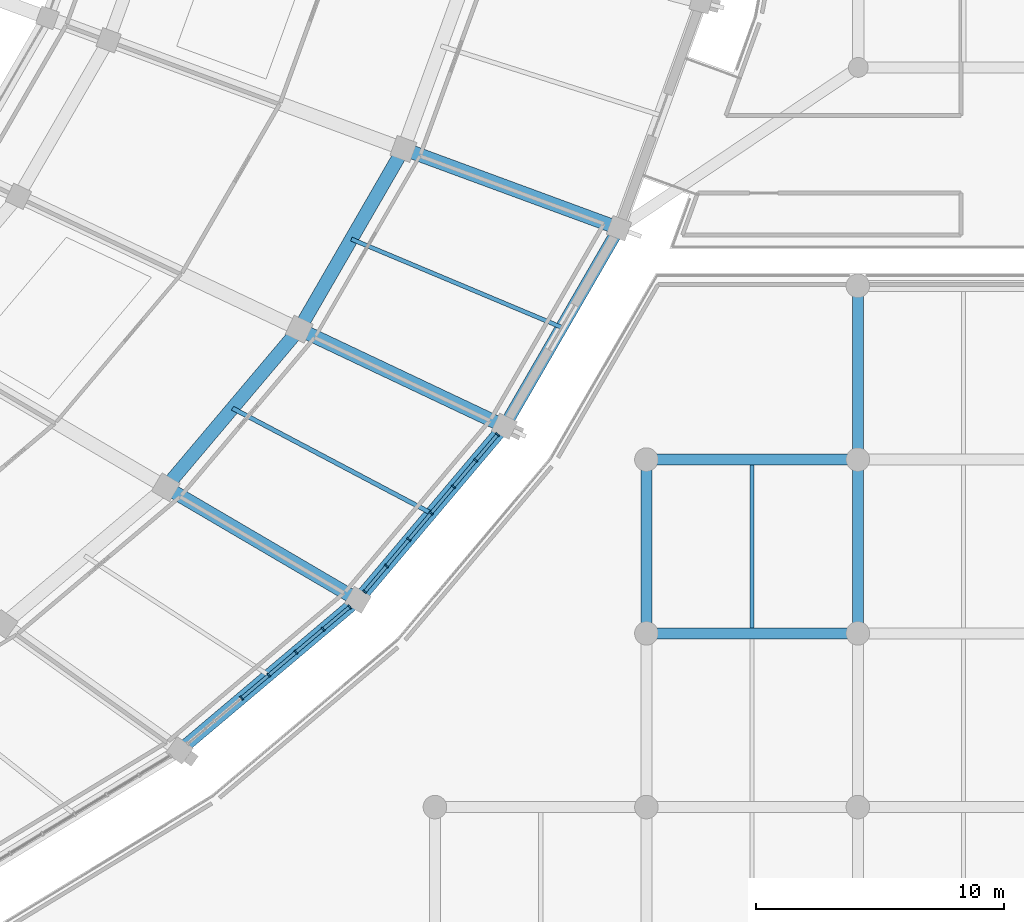
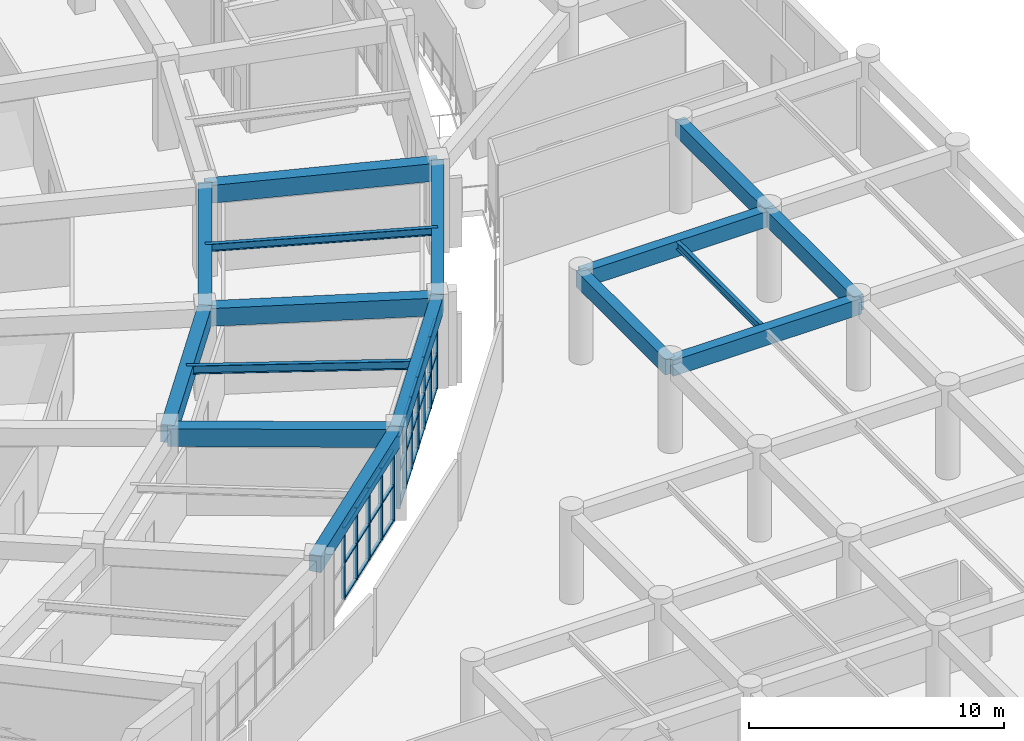
# One storey, part 44 of 145: 42 members, 16 beams, 2 elements without a shape of their own.
"""IFC4 building model written with IfcOpenShell, lengths in metres."""

from ifc_helpers import new_model, si_unit, direction, frame, origin, origin_2d, place, context, subcontext, project, spatial, rectangle, i_section, extrude, material, layer, layer_set, material_profile, profile_set, type_object, element, aggregate, save


model = new_model("IFC4")

# Units and contexts
model_context = context("Model", 3, precision=1e-05, world=origin(), true_north=direction((0.0, 1.0)))
body_context = subcontext(model_context, "Body", "Model", "MODEL_VIEW")
ifc_project = project(units=[si_unit("LENGTHUNIT", "METRE"), si_unit("AREAUNIT", "SQUARE_METRE"), si_unit("VOLUMEUNIT", "CUBIC_METRE"), si_unit("PLANEANGLEUNIT", "RADIAN"), si_unit("MASSUNIT", "GRAM", prefix="KILO")], contexts=[model_context])

# Site, building, storey
site_placement = place(None, origin())
site = spatial("IfcSite", under=ifc_project, at=site_placement, CompositionType="ELEMENT")
building_placement = place(site_placement, origin())
building = spatial("IfcBuilding", under=site, at=building_placement, Name="Mphavela Belvedere Stadium", CompositionType="ELEMENT")
storey_placement = place(building_placement, frame((0.0, 0.0, 10.199951171875)))
storey = spatial("IfcBuildingStorey", under=building, at=storey_placement, Name="L02", CompositionType="ELEMENT", Elevation=10.199951171875)

# Beams
ifc_material_1 = material(Name="Steel S355", Category="steel")
ifc_material_profile_1 = material_profile(ifc_material_1, i_section(OverallWidth=0.169921875, OverallDepth=0.360107421875, WebThickness=0.008056640625, FlangeThickness=0.0126953125, at=origin_2d()), Name="IPE 360")
ifc_profile_set_1 = profile_set([ifc_material_profile_1], Name="Steel S355")
beam_type_1 = type_object("IfcBeamType", Name="BM-JOIST-IPE360", PredefinedType="JOIST", material=ifc_profile_set_1)
beam_1_placement = place(storey_placement, frame((201.07568359375, 50.8837890625, 4.070068359375), z_axis=(0.922108778612, -0.386930743682, 0.0), x_axis=(0.386930743682, 0.922108778612, 0.0)))
element("IfcBeam", 1, at=beam_1_placement, inside=storey, type_object=beam_type_1, Name="Concourse floor joist L02-45", PredefinedType="JOIST", context=body_context, shape_type="SweptSolid", body=[
    extrude(i_section(OverallWidth=0.169921875, OverallDepth=0.360107421875, WebThickness=0.008056640625, FlangeThickness=0.0126953125, at=origin_2d()), origin(), (0.0, 0.0, 1.0), 9.189453125),
])
beam_2_placement = place(storey_placement, frame((217.221923828125, 35.22509765625, 4.06005859375), z_axis=(0.0, 1.0, 0.0), x_axis=(-1.0, 0.0, 0.0)))
element("IfcBeam", 2, at=beam_2_placement, inside=storey, type_object=beam_type_1, Name="South Axial Triumphal Peristyle Portico secondary joist L02 26-6", PredefinedType="JOIST", context=body_context, shape_type="SweptSolid", body=[
    extrude(i_section(OverallWidth=0.169921875, OverallDepth=0.360107421875, WebThickness=0.008056640625, FlangeThickness=0.0126953125, at=origin_2d()), origin(), (0.0, 0.0, 1.0), 6.5498046875),
])
ifc_material_2 = material(Name="Steel S355", Category="steel")
ifc_material_profile_2 = material_profile(ifc_material_2, i_section(OverallWidth=0.179931640625, OverallDepth=0.39990234375, WebThickness=0.008544921875, FlangeThickness=0.013427734375, at=origin_2d()), Name="IPE 400")
ifc_profile_set_2 = profile_set([ifc_material_profile_2], Name="Steel S355")
beam_type_2 = type_object("IfcBeamType", Name="BM-JOIST-IPE400", PredefinedType="JOIST", material=ifc_profile_set_2)
beam_3_placement = place(storey_placement, frame((196.2880859375, 44.06884765625, 4.050048828125), z_axis=(0.884250771824, -0.467012390123, 0.0), x_axis=(0.467012390123, 0.884250771824, 0.0)))
element("IfcBeam", 3, at=beam_3_placement, inside=storey, type_object=beam_type_2, Name="Concourse floor joist L02-44", PredefinedType="JOIST", context=body_context, shape_type="SweptSolid", body=[
    extrude(i_section(OverallWidth=0.179931640625, OverallDepth=0.39990234375, WebThickness=0.008544921875, FlangeThickness=0.013427734375, at=origin_2d()), origin(), (0.0, 0.0, 1.0), 9.0498046875),
])
ifc_material_3 = material(Name="Concrete C40/50", Category="concrete")
ifc_material_profile_3 = material_profile(ifc_material_3, rectangle(XDim=0.449951171875, YDim=0.75, at=origin_2d()), Name="RC 450x750")
ifc_profile_set_3 = profile_set([ifc_material_profile_3], Name="Concrete C40/50")
beam_type_3 = type_object("IfcBeamType", Name="BM-RC450x750", PredefinedType="BEAM", material=ifc_profile_set_3)
beam_4_placement = place(storey_placement, frame((212.962890625, 35.0, 3.864990234375), z_axis=(1.0, 0.0, 0.0), x_axis=(0.0, 1.0, 0.0)))
element("IfcBeam", 4, at=beam_4_placement, inside=storey, type_object=beam_type_3, Name="South Axial Triumphal Peristyle Portico entablature beam X L02 26-6", PredefinedType="BEAM", context=body_context, shape_type="SweptSolid", body=[
    extrude(rectangle(XDim=0.449951171875, YDim=0.75, at=origin_2d()), origin(), (0.0, 0.0, 1.0), 8.51806640625),
])
beam_5_placement = place(storey_placement, frame((212.962890625, 35.0, 3.864990234375), z_axis=(0.0, 1.0, 0.0), x_axis=(-1.0, 0.0, 0.0)))
element("IfcBeam", 5, at=beam_5_placement, inside=storey, type_object=beam_type_3, Name="South Axial Triumphal Peristyle Portico entablature beam Y L02 26-6", PredefinedType="BEAM", context=body_context, shape_type="SweptSolid", body=[
    extrude(rectangle(XDim=0.449951171875, YDim=0.75, at=origin_2d()), origin(), (0.0, 0.0, 1.0), 7.0),
])
beam_6_placement = place(storey_placement, frame((212.962890625, 42.0, 3.864990234375), z_axis=(1.0, 0.0, 0.0), x_axis=(0.0, 1.0, 0.0)))
element("IfcBeam", 6, at=beam_6_placement, inside=storey, type_object=beam_type_3, Name="South Axial Triumphal Peristyle Portico entablature beam X L02 26-7", PredefinedType="BEAM", context=body_context, shape_type="SweptSolid", body=[
    extrude(rectangle(XDim=0.449951171875, YDim=0.75, at=origin_2d()), origin(), (0.0, 0.0, 1.0), 8.51806640625),
])
for number, where, z_axis, x_axis, name in (
    (7, (221.48095703125, 35.0, 3.864990234375), (0.0, 1.0, 0.0), (-1.0, 0.0, 0.0), "South Axial Triumphal Peristyle Portico entablature beam Y L02 27-6"),
    (8, (221.48095703125, 42.0, 3.864990234375), (0.0, 1.0, 0.0), (-1.0, 0.0, 0.0), "South Axial Triumphal Peristyle Portico entablature beam Y L02 27-7"),
):
    element("IfcBeam", number, at=place(storey_placement, frame(where, z_axis=z_axis, x_axis=x_axis)), inside=storey, type_object=beam_type_3, Name=name, PredefinedType="BEAM", context=body_context, shape_type="SweptSolid", body=[
        extrude(rectangle(XDim=0.449951171875, YDim=0.75, at=origin_2d()), origin(), (0.0, 0.0, 1.0), 7.0),
    ])
ifc_material_4 = material(Name="Concrete C40/50", Category="concrete")
ifc_material_profile_4 = material_profile(ifc_material_4, rectangle(XDim=0.550048828125, YDim=0.85009765625, at=origin_2d()), Name="RC 550x850")
ifc_profile_set_4 = profile_set([ifc_material_profile_4], Name="Concrete C40/50")
beam_type_4 = type_object("IfcBeamType", Name="BM-RC550x850", PredefinedType="BEAM", material=ifc_profile_set_4)
beam_7_placement = place(storey_placement, frame((193.600341796875, 40.88623046875, 3.824951171875), z_axis=(0.645177396673, 0.764032804808, 0.0), x_axis=(-0.764032804808, 0.645177396673, 0.0)))
element("IfcBeam", 9, at=beam_7_placement, inside=storey, type_object=beam_type_4, Name="Circumferential girder L02 R3-44", PredefinedType="BEAM", context=body_context, shape_type="SweptSolid", body=[
    extrude(rectangle(XDim=0.550048828125, YDim=0.85009765625, at=origin_2d()), origin(), (0.0, 0.0, 1.0), 8.331298828125),
])
beam_8_placement = place(storey_placement, frame((193.600341796875, 40.88623046875, 3.824951171875), z_axis=(0.862517779395, -0.506026758411, 0.0), x_axis=(0.506026758411, 0.862517779395, 0.0)))
element("IfcBeam", 10, at=beam_8_placement, inside=storey, type_object=beam_type_4, Name="Radial concourse girder L02 R3R4-44", PredefinedType="BEAM", context=body_context, shape_type="SweptSolid", body=[
    extrude(rectangle(XDim=0.550048828125, YDim=0.85009765625, at=origin_2d()), origin(), (0.0, 0.0, 1.0), 8.971435546875),
])
beam_9_placement = place(storey_placement, frame((198.9755859375, 47.251708984375, 3.824951171875), z_axis=(0.500547586322, 0.865709023765, 0.0), x_axis=(-0.865709023765, 0.500547586322, 0.0)))
element("IfcBeam", 11, at=beam_9_placement, inside=storey, type_object=beam_type_4, Name="Circumferential girder L02 R3-45", PredefinedType="BEAM", context=body_context, shape_type="SweptSolid", body=[
    extrude(rectangle(XDim=0.550048828125, YDim=0.85009765625, at=origin_2d()), origin(), (0.0, 0.0, 1.0), 8.390625),
])
beam_10_placement = place(storey_placement, frame((198.9755859375, 47.251708984375, 3.824951171875), z_axis=(0.903845427073, -0.427859140325, 0.0), x_axis=(0.427859140325, 0.903845427073, 0.0)))
element("IfcBeam", 12, at=beam_10_placement, inside=storey, type_object=beam_type_4, Name="Radial concourse girder L02 R3R4-45", PredefinedType="BEAM", context=body_context, shape_type="SweptSolid", body=[
    extrude(rectangle(XDim=0.550048828125, YDim=0.85009765625, at=origin_2d()), origin(), (0.0, 0.0, 1.0), 9.146240234375),
])
beam_11_placement = place(storey_placement, frame((203.175537109375, 54.515625, 3.824951171875), z_axis=(0.938348073025, -0.345691905967, 0.0), x_axis=(0.345691905967, 0.938348073025, 0.0)))
element("IfcBeam", 13, at=beam_11_placement, inside=storey, type_object=beam_type_4, Name="Radial concourse girder L02 R3R4-46", PredefinedType="BEAM", context=body_context, shape_type="SweptSolid", body=[
    extrude(rectangle(XDim=0.550048828125, YDim=0.85009765625, at=origin_2d()), origin(), (0.0, 0.0, 1.0), 9.2509765625),
])
ifc_material_5 = material(Name="Concrete C40/50", Category="concrete")
ifc_material_profile_5 = material_profile(ifc_material_5, rectangle(XDim=0.5, YDim=0.800048828125, at=origin_2d()), Name="RC 500x800")
ifc_profile_set_5 = profile_set([ifc_material_profile_5], Name="Concrete C40/50")
beam_type_5 = type_object("IfcBeamType", Name="BM-SPANDREL-800", PredefinedType="SPANDREL", material=ifc_profile_set_5)
beam_12_placement = place(storey_placement, frame((194.155517578125, 30.285400390625, 3.85009765625), z_axis=(0.76426547638, 0.644901761212, 0.0), x_axis=(-0.644901761212, 0.76426547638, 0.0)))
element("IfcBeam", 14, at=beam_12_placement, inside=storey, type_object=beam_type_5, Name="Circumferential girder L02 R4-43", PredefinedType="SPANDREL", context=body_context, shape_type="SweptSolid", body=[
    extrude(rectangle(XDim=0.5, YDim=0.800048828125, at=origin_2d()), origin(), (0.0, 0.0, 1.0), 9.3984375),
])
beam_13_placement = place(storey_placement, frame((201.33837890625, 36.346435546875, 3.85009765625), z_axis=(0.645164552218, 0.764043650952, 0.0), x_axis=(-0.764043650952, 0.645164552218, 0.0)))
element("IfcBeam", 15, at=beam_13_placement, inside=storey, type_object=beam_type_5, Name="Circumferential girder L02 R4-44", PredefinedType="SPANDREL", context=body_context, shape_type="SweptSolid", body=[
    extrude(rectangle(XDim=0.5, YDim=0.800048828125, at=origin_2d()), origin(), (0.0, 0.0, 1.0), 9.151123046875),
])
beam_14_placement = place(storey_placement, frame((207.242431640625, 43.33837890625, 3.85009765625), z_axis=(0.500565297122, 0.865698783248, 0.0), x_axis=(-0.865698783248, 0.500565297122, 0.0)))
element("IfcBeam", 16, at=beam_14_placement, inside=storey, type_object=beam_type_5, Name="Circumferential girder L02 R4-45", PredefinedType="SPANDREL", context=body_context, shape_type="SweptSolid", body=[
    extrude(rectangle(XDim=0.5, YDim=0.800048828125, at=origin_2d()), origin(), (0.0, 0.0, 1.0), 9.217041015625),
])

# Curtain wall, members
ifc_material_6 = material(Name="Anodised bronze unitised curtain wall framing")
ifc_layer_1 = layer(ifc_material_6, 0.18994140625)
ifc_layer_set_1 = layer_set([ifc_layer_1], Name="Anodised bronze unitised curtain wall framing")
curtain_wall_type_1 = type_object("IfcCurtainWallType", Name="CW-UNIT-03", PredefinedType="USERDEFINED", material=ifc_layer_set_1)
curtain_wall_1_placement = place(storey_placement, origin())
curtain_wall_1 = element("IfcCurtainWall", 17, at=curtain_wall_1_placement, inside=storey, type_object=curtain_wall_type_1, Name="Belvedere colonnade curtain wall L02-43", ObjectType="UNITISED CURTAIN WALL", PredefinedType="USERDEFINED")
ifc_material_7 = material(Name="Anodised bronze extruded aluminium", Category="aluminium")
ifc_material_profile_6 = material_profile(ifc_material_7, rectangle(XDim=0.179931640625, YDim=0.06494140625, at=origin_2d()), Name="CW-MUL 180x65")
ifc_profile_set_6 = profile_set([ifc_material_profile_6], Name="Anodised bronze extruded aluminium")
member_type_1 = type_object("IfcMemberType", Name="CWM-180x65", PredefinedType="MULLION", material=ifc_profile_set_6)
member_1_placement = place(storey_placement, frame((196.651123046875, 32.391357421875, 0.0), z_axis=(0.0, 0.0, 1.0), x_axis=(-0.644907225915, 0.764260865126, 0.0)))
member_1 = element("IfcMember", 18, at=member_1_placement, type_object=member_type_1, Name="CW-03 mullion 3", PredefinedType="MULLION", context=body_context, shape_type="SweptSolid", body=[
    extrude(rectangle(XDim=0.179931640625, YDim=0.06494140625, at=origin_2d()), origin(), (0.0, 0.0, 1.0), 3.420166015625),
])
member_2_placement = place(storey_placement, frame((197.7470703125, 33.31591796875, 0.0), z_axis=(0.0, 0.0, 1.0), x_axis=(-0.644907225915, 0.764260865126, 0.0)))
member_2 = element("IfcMember", 19, at=member_2_placement, type_object=member_type_1, Name="CW-03 mullion 4", PredefinedType="MULLION", context=body_context, shape_type="SweptSolid", body=[
    extrude(rectangle(XDim=0.179931640625, YDim=0.06494140625, at=origin_2d()), origin(), (0.0, 0.0, 1.0), 3.420166015625),
])
member_3_placement = place(storey_placement, frame((198.8427734375, 34.240478515625, 0.0), z_axis=(0.0, 0.0, 1.0), x_axis=(-0.644907225915, 0.764260865126, 0.0)))
member_3 = element("IfcMember", 20, at=member_3_placement, type_object=member_type_1, Name="CW-03 mullion 5", PredefinedType="MULLION", context=body_context, shape_type="SweptSolid", body=[
    extrude(rectangle(XDim=0.179931640625, YDim=0.06494140625, at=origin_2d()), origin(), (0.0, 0.0, 1.0), 3.420166015625),
])
member_4_placement = place(storey_placement, frame((199.9384765625, 35.165283203125, 0.0), z_axis=(0.0, 0.0, 1.0), x_axis=(-0.644907225915, 0.764260865126, 0.0)))
member_4 = element("IfcMember", 21, at=member_4_placement, type_object=member_type_1, Name="CW-03 mullion 6", PredefinedType="MULLION", context=body_context, shape_type="SweptSolid", body=[
    extrude(rectangle(XDim=0.179931640625, YDim=0.06494140625, at=origin_2d()), origin(), (0.0, 0.0, 1.0), 3.420166015625),
])
member_5_placement = place(storey_placement, frame((201.00927734375, 36.06884765625, 0.0), z_axis=(0.0, 0.0, 1.0), x_axis=(-0.644907225915, 0.764260865126, 0.0)))
member_5 = element("IfcMember", 22, at=member_5_placement, type_object=member_type_1, Name="CW-03 mullion 7", PredefinedType="MULLION", context=body_context, shape_type="SweptSolid", body=[
    extrude(rectangle(XDim=0.179931640625, YDim=0.06494140625, at=origin_2d()), origin(), (0.0, 0.0, 1.0), 3.420166015625),
])

ifc_material_8 = material(Name="Anodised bronze unitised curtain wall framing")
ifc_layer_2 = layer(ifc_material_8, 0.195068359375)
ifc_layer_set_2 = layer_set([ifc_layer_2], Name="Anodised bronze unitised curtain wall framing")
curtain_wall_type_2 = type_object("IfcCurtainWallType", Name="CW-UNIT-04", PredefinedType="USERDEFINED", material=ifc_layer_set_2)
curtain_wall_2_placement = place(storey_placement, origin())
curtain_wall_2 = element("IfcCurtainWall", 23, at=curtain_wall_2_placement, inside=storey, type_object=curtain_wall_type_2, Name="Belvedere colonnade curtain wall L02-44", ObjectType="UNITISED CURTAIN WALL", PredefinedType="USERDEFINED")
member_6_placement = place(storey_placement, frame((201.615966796875, 36.675537109375, 0.0), z_axis=(0.0, 0.0, 1.0), x_axis=(-0.76403961746, 0.645169328899, 0.0)))
member_6 = element("IfcMember", 24, at=member_6_placement, type_object=member_type_1, Name="CW-04 mullion 1", PredefinedType="MULLION", context=body_context, shape_type="SweptSolid", body=[
    extrude(rectangle(XDim=0.179931640625, YDim=0.06494140625, at=origin_2d()), origin(), (0.0, 0.0, 1.0), 3.420166015625),
])
member_7_placement = place(storey_placement, frame((202.49365234375, 37.714599609375, 0.0), z_axis=(0.0, 0.0, 1.0), x_axis=(-0.76403961746, 0.645169328899, 0.0)))
member_7 = element("IfcMember", 25, at=member_7_placement, type_object=member_type_1, Name="CW-04 mullion 2", PredefinedType="MULLION", context=body_context, shape_type="SweptSolid", body=[
    extrude(rectangle(XDim=0.179931640625, YDim=0.06494140625, at=origin_2d()), origin(), (0.0, 0.0, 1.0), 3.420166015625),
])
member_8_placement = place(storey_placement, frame((203.391845703125, 38.778564453125, 0.0), z_axis=(0.0, 0.0, 1.0), x_axis=(-0.76403961746, 0.645169328899, 0.0)))
member_8 = element("IfcMember", 26, at=member_8_placement, type_object=member_type_1, Name="CW-04 mullion 3", PredefinedType="MULLION", context=body_context, shape_type="SweptSolid", body=[
    extrude(rectangle(XDim=0.179931640625, YDim=0.06494140625, at=origin_2d()), origin(), (0.0, 0.0, 1.0), 3.420166015625),
])
member_9_placement = place(storey_placement, frame((204.290283203125, 39.842529296875, 0.0), z_axis=(0.0, 0.0, 1.0), x_axis=(-0.76403961746, 0.645169328899, 0.0)))
member_9 = element("IfcMember", 27, at=member_9_placement, type_object=member_type_1, Name="CW-04 mullion 4", PredefinedType="MULLION", context=body_context, shape_type="SweptSolid", body=[
    extrude(rectangle(XDim=0.179931640625, YDim=0.06494140625, at=origin_2d()), origin(), (0.0, 0.0, 1.0), 3.420166015625),
])
member_10_placement = place(storey_placement, frame((205.188720703125, 40.906494140625, 0.0), z_axis=(0.0, 0.0, 1.0), x_axis=(-0.76403961746, 0.645169328899, 0.0)))
member_10 = element("IfcMember", 28, at=member_10_placement, type_object=member_type_1, Name="CW-04 mullion 5", PredefinedType="MULLION", context=body_context, shape_type="SweptSolid", body=[
    extrude(rectangle(XDim=0.179931640625, YDim=0.06494140625, at=origin_2d()), origin(), (0.0, 0.0, 1.0), 3.420166015625),
])
member_11_placement = place(storey_placement, frame((206.087158203125, 41.970458984375, 0.0), z_axis=(0.0, 0.0, 1.0), x_axis=(-0.76403961746, 0.645169328899, 0.0)))
member_11 = element("IfcMember", 29, at=member_11_placement, type_object=member_type_1, Name="CW-04 mullion 6", PredefinedType="MULLION", context=body_context, shape_type="SweptSolid", body=[
    extrude(rectangle(XDim=0.179931640625, YDim=0.06494140625, at=origin_2d()), origin(), (0.0, 0.0, 1.0), 3.420166015625),
])
member_12_placement = place(storey_placement, frame((206.96484375, 43.009521484375, 0.0), z_axis=(0.0, 0.0, 1.0), x_axis=(-0.76403961746, 0.645169328899, 0.0)))
member_12 = element("IfcMember", 30, at=member_12_placement, type_object=member_type_1, Name="CW-04 mullion 7", PredefinedType="MULLION", context=body_context, shape_type="SweptSolid", body=[
    extrude(rectangle(XDim=0.179931640625, YDim=0.06494140625, at=origin_2d()), origin(), (0.0, 0.0, 1.0), 3.420166015625),
])

# Member
ifc_material_9 = material(Name="Anodised bronze extruded aluminium", Category="aluminium")
ifc_material_profile_7 = material_profile(ifc_material_9, rectangle(XDim=0.139892578125, YDim=0.06005859375, at=origin_2d()), Name="CW-TRN 140x60")
ifc_profile_set_7 = profile_set([ifc_material_profile_7], Name="Anodised bronze extruded aluminium")
member_type_2 = type_object("IfcMemberType", Name="CWT-140x60", PredefinedType="USERDEFINED", material=ifc_profile_set_7)
member_13_placement = place(storey_placement, frame((196.676025390625, 32.412353515625, 0.030029296875), z_axis=(0.764332692147, 0.644822096175, 0.0), x_axis=(-0.644822096175, 0.764332692147, 0.0)))
member_13 = element("IfcMember", 31, at=member_13_placement, type_object=member_type_2, Name="CW-03 transom 3.1", ObjectType="TRANSOM", PredefinedType="USERDEFINED", context=body_context, shape_type="SweptSolid", body=[
    extrude(rectangle(XDim=0.139892578125, YDim=0.06005859375, at=origin_2d()), origin(), (0.0, 0.0, 1.0), 1.36865234375),
])

member_14_placement = place(storey_placement, frame((196.676025390625, 32.412353515625, 1.7099609375), z_axis=(0.764332692147, 0.644822096175, 0.0), x_axis=(-0.644822096175, 0.764332692147, 0.0)))
member_14 = element("IfcMember", 32, at=member_14_placement, type_object=member_type_2, Name="CW-03 transom 3.2", ObjectType="TRANSOM", PredefinedType="USERDEFINED", context=body_context, shape_type="SweptSolid", body=[
    extrude(rectangle(XDim=0.139892578125, YDim=0.06005859375, at=origin_2d()), origin(), (0.0, 0.0, 1.0), 1.36865234375),
])

member_15_placement = place(storey_placement, frame((196.676025390625, 32.412353515625, 3.39013671875), z_axis=(0.764332692147, 0.644822096175, 0.0), x_axis=(-0.644822096175, 0.764332692147, 0.0)))
member_15 = element("IfcMember", 33, at=member_15_placement, type_object=member_type_2, Name="CW-03 transom 3.3", ObjectType="TRANSOM", PredefinedType="USERDEFINED", context=body_context, shape_type="SweptSolid", body=[
    extrude(rectangle(XDim=0.139892578125, YDim=0.06005859375, at=origin_2d()), origin(), (0.0, 0.0, 1.0), 1.36865234375),
])

member_16_placement = place(storey_placement, frame((197.771728515625, 33.3369140625, 0.030029296875), z_axis=(0.764244781983, 0.644926285099, 0.0), x_axis=(-0.644926285099, 0.764244781983, 0.0)))
member_16 = element("IfcMember", 34, at=member_16_placement, type_object=member_type_2, Name="CW-03 transom 4.1", ObjectType="TRANSOM", PredefinedType="USERDEFINED", context=body_context, shape_type="SweptSolid", body=[
    extrude(rectangle(XDim=0.139892578125, YDim=0.06005859375, at=origin_2d()), origin(), (0.0, 0.0, 1.0), 1.368896484375),
])

member_17_placement = place(storey_placement, frame((197.771728515625, 33.3369140625, 1.7099609375), z_axis=(0.764244781983, 0.644926285099, 0.0), x_axis=(-0.644926285099, 0.764244781983, 0.0)))
member_17 = element("IfcMember", 35, at=member_17_placement, type_object=member_type_2, Name="CW-03 transom 4.2", ObjectType="TRANSOM", PredefinedType="USERDEFINED", context=body_context, shape_type="SweptSolid", body=[
    extrude(rectangle(XDim=0.139892578125, YDim=0.06005859375, at=origin_2d()), origin(), (0.0, 0.0, 1.0), 1.368896484375),
])

member_18_placement = place(storey_placement, frame((197.771728515625, 33.3369140625, 3.39013671875), z_axis=(0.764244781983, 0.644926285099, 0.0), x_axis=(-0.644926285099, 0.764244781983, 0.0)))
member_18 = element("IfcMember", 36, at=member_18_placement, type_object=member_type_2, Name="CW-03 transom 4.3", ObjectType="TRANSOM", PredefinedType="USERDEFINED", context=body_context, shape_type="SweptSolid", body=[
    extrude(rectangle(XDim=0.139892578125, YDim=0.06005859375, at=origin_2d()), origin(), (0.0, 0.0, 1.0), 1.368896484375),
])

member_19_placement = place(storey_placement, frame((198.867431640625, 34.261474609375, 0.030029296875), z_axis=(0.764244781983, 0.644926285099, 0.0), x_axis=(-0.644926285099, 0.764244781983, 0.0)))
member_19 = element("IfcMember", 37, at=member_19_placement, type_object=member_type_2, Name="CW-03 transom 5.1", ObjectType="TRANSOM", PredefinedType="USERDEFINED", context=body_context, shape_type="SweptSolid", body=[
    extrude(rectangle(XDim=0.139892578125, YDim=0.06005859375, at=origin_2d()), origin(), (0.0, 0.0, 1.0), 1.368896484375),
])

member_20_placement = place(storey_placement, frame((198.867431640625, 34.261474609375, 1.7099609375), z_axis=(0.764244781983, 0.644926285099, 0.0), x_axis=(-0.644926285099, 0.764244781983, 0.0)))
member_20 = element("IfcMember", 38, at=member_20_placement, type_object=member_type_2, Name="CW-03 transom 5.2", ObjectType="TRANSOM", PredefinedType="USERDEFINED", context=body_context, shape_type="SweptSolid", body=[
    extrude(rectangle(XDim=0.139892578125, YDim=0.06005859375, at=origin_2d()), origin(), (0.0, 0.0, 1.0), 1.368896484375),
])

member_21_placement = place(storey_placement, frame((198.867431640625, 34.261474609375, 3.39013671875), z_axis=(0.764244781983, 0.644926285099, 0.0), x_axis=(-0.644926285099, 0.764244781983, 0.0)))
member_21 = element("IfcMember", 39, at=member_21_placement, type_object=member_type_2, Name="CW-03 transom 5.3", ObjectType="TRANSOM", PredefinedType="USERDEFINED", context=body_context, shape_type="SweptSolid", body=[
    extrude(rectangle(XDim=0.139892578125, YDim=0.06005859375, at=origin_2d()), origin(), (0.0, 0.0, 1.0), 1.368896484375),
])

member_22_placement = place(storey_placement, frame((199.963134765625, 35.186279296875, 0.030029296875), z_axis=(0.764328068464, 0.644827576766, 0.0), x_axis=(-0.644827576766, 0.764328068464, 0.0)))
member_22 = element("IfcMember", 40, at=member_22_placement, type_object=member_type_2, Name="CW-03 transom 6.1", ObjectType="TRANSOM", PredefinedType="USERDEFINED", context=body_context, shape_type="SweptSolid", body=[
    extrude(rectangle(XDim=0.139892578125, YDim=0.06005859375, at=origin_2d()), origin(), (0.0, 0.0, 1.0), 1.336181640625),
])

member_23_placement = place(storey_placement, frame((199.963134765625, 35.186279296875, 1.7099609375), z_axis=(0.764328068464, 0.644827576766, 0.0), x_axis=(-0.644827576766, 0.764328068464, 0.0)))
member_23 = element("IfcMember", 41, at=member_23_placement, type_object=member_type_2, Name="CW-03 transom 6.2", ObjectType="TRANSOM", PredefinedType="USERDEFINED", context=body_context, shape_type="SweptSolid", body=[
    extrude(rectangle(XDim=0.139892578125, YDim=0.06005859375, at=origin_2d()), origin(), (0.0, 0.0, 1.0), 1.336181640625),
])

member_24_placement = place(storey_placement, frame((199.963134765625, 35.186279296875, 3.39013671875), z_axis=(0.764328068464, 0.644827576766, 0.0), x_axis=(-0.644827576766, 0.764328068464, 0.0)))
member_24 = element("IfcMember", 42, at=member_24_placement, type_object=member_type_2, Name="CW-03 transom 6.3", ObjectType="TRANSOM", PredefinedType="USERDEFINED", context=body_context, shape_type="SweptSolid", body=[
    extrude(rectangle(XDim=0.139892578125, YDim=0.06005859375, at=origin_2d()), origin(), (0.0, 0.0, 1.0), 1.336181640625),
])

aggregate(curtain_wall_1, [member_1, member_2, member_3, member_4, member_5, member_13, member_14, member_15, member_16, member_17, member_18, member_19, member_20, member_21, member_22, member_23, member_24])

member_25_placement = place(storey_placement, frame((201.636962890625, 36.7001953125, 0.030029296875), z_axis=(0.645232165916, 0.763986552281, 0.0), x_axis=(-0.763986552281, 0.645232165916, 0.0)))
member_25 = element("IfcMember", 43, at=member_25_placement, type_object=member_type_2, Name="CW-04 transom 1.1", ObjectType="TRANSOM", PredefinedType="USERDEFINED", context=body_context, shape_type="SweptSolid", body=[
    extrude(rectangle(XDim=0.139892578125, YDim=0.06005859375, at=origin_2d()), origin(), (0.0, 0.0, 1.0), 1.295166015625),
])

member_26_placement = place(storey_placement, frame((201.636962890625, 36.7001953125, 1.7099609375), z_axis=(0.645232165916, 0.763986552281, 0.0), x_axis=(-0.763986552281, 0.645232165916, 0.0)))
member_26 = element("IfcMember", 44, at=member_26_placement, type_object=member_type_2, Name="CW-04 transom 1.2", ObjectType="TRANSOM", PredefinedType="USERDEFINED", context=body_context, shape_type="SweptSolid", body=[
    extrude(rectangle(XDim=0.139892578125, YDim=0.06005859375, at=origin_2d()), origin(), (0.0, 0.0, 1.0), 1.295166015625),
])

member_27_placement = place(storey_placement, frame((201.636962890625, 36.7001953125, 3.39013671875), z_axis=(0.645232165916, 0.763986552281, 0.0), x_axis=(-0.763986552281, 0.645232165916, 0.0)))
member_27 = element("IfcMember", 45, at=member_27_placement, type_object=member_type_2, Name="CW-04 transom 1.3", ObjectType="TRANSOM", PredefinedType="USERDEFINED", context=body_context, shape_type="SweptSolid", body=[
    extrude(rectangle(XDim=0.139892578125, YDim=0.06005859375, at=origin_2d()), origin(), (0.0, 0.0, 1.0), 1.295166015625),
])

member_28_placement = place(storey_placement, frame((202.514404296875, 37.739501953125, 0.030029296875), z_axis=(0.645307243975, 0.763923138066, 0.0), x_axis=(-0.763923138066, 0.645307243975, 0.0)))
member_28 = element("IfcMember", 46, at=member_28_placement, type_object=member_type_2, Name="CW-04 transom 2.1", ObjectType="TRANSOM", PredefinedType="USERDEFINED", context=body_context, shape_type="SweptSolid", body=[
    extrude(rectangle(XDim=0.139892578125, YDim=0.06005859375, at=origin_2d()), origin(), (0.0, 0.0, 1.0), 1.32763671875),
])

member_29_placement = place(storey_placement, frame((202.514404296875, 37.739501953125, 1.7099609375), z_axis=(0.645307243975, 0.763923138066, 0.0), x_axis=(-0.763923138066, 0.645307243975, 0.0)))
member_29 = element("IfcMember", 47, at=member_29_placement, type_object=member_type_2, Name="CW-04 transom 2.2", ObjectType="TRANSOM", PredefinedType="USERDEFINED", context=body_context, shape_type="SweptSolid", body=[
    extrude(rectangle(XDim=0.139892578125, YDim=0.06005859375, at=origin_2d()), origin(), (0.0, 0.0, 1.0), 1.32763671875),
])

member_30_placement = place(storey_placement, frame((202.514404296875, 37.739501953125, 3.39013671875), z_axis=(0.645307243975, 0.763923138066, 0.0), x_axis=(-0.763923138066, 0.645307243975, 0.0)))
member_30 = element("IfcMember", 48, at=member_30_placement, type_object=member_type_2, Name="CW-04 transom 2.3", ObjectType="TRANSOM", PredefinedType="USERDEFINED", context=body_context, shape_type="SweptSolid", body=[
    extrude(rectangle(XDim=0.139892578125, YDim=0.06005859375, at=origin_2d()), origin(), (0.0, 0.0, 1.0), 1.32763671875),
])

member_31_placement = place(storey_placement, frame((203.412841796875, 38.803466796875, 0.030029296875), z_axis=(0.645307243975, 0.763923138066, 0.0), x_axis=(-0.763923138066, 0.645307243975, 0.0)))
member_31 = element("IfcMember", 49, at=member_31_placement, type_object=member_type_2, Name="CW-04 transom 3.1", ObjectType="TRANSOM", PredefinedType="USERDEFINED", context=body_context, shape_type="SweptSolid", body=[
    extrude(rectangle(XDim=0.139892578125, YDim=0.06005859375, at=origin_2d()), origin(), (0.0, 0.0, 1.0), 1.32763671875),
])

member_32_placement = place(storey_placement, frame((203.412841796875, 38.803466796875, 1.7099609375), z_axis=(0.645307243975, 0.763923138066, 0.0), x_axis=(-0.763923138066, 0.645307243975, 0.0)))
member_32 = element("IfcMember", 50, at=member_32_placement, type_object=member_type_2, Name="CW-04 transom 3.2", ObjectType="TRANSOM", PredefinedType="USERDEFINED", context=body_context, shape_type="SweptSolid", body=[
    extrude(rectangle(XDim=0.139892578125, YDim=0.06005859375, at=origin_2d()), origin(), (0.0, 0.0, 1.0), 1.32763671875),
])

member_33_placement = place(storey_placement, frame((203.412841796875, 38.803466796875, 3.39013671875), z_axis=(0.645307243975, 0.763923138066, 0.0), x_axis=(-0.763923138066, 0.645307243975, 0.0)))
member_33 = element("IfcMember", 51, at=member_33_placement, type_object=member_type_2, Name="CW-04 transom 3.3", ObjectType="TRANSOM", PredefinedType="USERDEFINED", context=body_context, shape_type="SweptSolid", body=[
    extrude(rectangle(XDim=0.139892578125, YDim=0.06005859375, at=origin_2d()), origin(), (0.0, 0.0, 1.0), 1.32763671875),
])

member_34_placement = place(storey_placement, frame((204.311279296875, 39.867431640625, 0.030029296875), z_axis=(0.645307243975, 0.763923138066, 0.0), x_axis=(-0.763923138066, 0.645307243975, 0.0)))
member_34 = element("IfcMember", 52, at=member_34_placement, type_object=member_type_2, Name="CW-04 transom 4.1", ObjectType="TRANSOM", PredefinedType="USERDEFINED", context=body_context, shape_type="SweptSolid", body=[
    extrude(rectangle(XDim=0.139892578125, YDim=0.06005859375, at=origin_2d()), origin(), (0.0, 0.0, 1.0), 1.32763671875),
])

member_35_placement = place(storey_placement, frame((204.311279296875, 39.867431640625, 1.7099609375), z_axis=(0.645307243975, 0.763923138066, 0.0), x_axis=(-0.763923138066, 0.645307243975, 0.0)))
member_35 = element("IfcMember", 53, at=member_35_placement, type_object=member_type_2, Name="CW-04 transom 4.2", ObjectType="TRANSOM", PredefinedType="USERDEFINED", context=body_context, shape_type="SweptSolid", body=[
    extrude(rectangle(XDim=0.139892578125, YDim=0.06005859375, at=origin_2d()), origin(), (0.0, 0.0, 1.0), 1.32763671875),
])

member_36_placement = place(storey_placement, frame((204.311279296875, 39.867431640625, 3.39013671875), z_axis=(0.645307243975, 0.763923138066, 0.0), x_axis=(-0.763923138066, 0.645307243975, 0.0)))
member_36 = element("IfcMember", 54, at=member_36_placement, type_object=member_type_2, Name="CW-04 transom 4.3", ObjectType="TRANSOM", PredefinedType="USERDEFINED", context=body_context, shape_type="SweptSolid", body=[
    extrude(rectangle(XDim=0.139892578125, YDim=0.06005859375, at=origin_2d()), origin(), (0.0, 0.0, 1.0), 1.32763671875),
])

member_37_placement = place(storey_placement, frame((205.209716796875, 40.931396484375, 0.030029296875), z_axis=(0.645307243975, 0.763923138066, 0.0), x_axis=(-0.763923138066, 0.645307243975, 0.0)))
member_37 = element("IfcMember", 55, at=member_37_placement, type_object=member_type_2, Name="CW-04 transom 5.1", ObjectType="TRANSOM", PredefinedType="USERDEFINED", context=body_context, shape_type="SweptSolid", body=[
    extrude(rectangle(XDim=0.139892578125, YDim=0.06005859375, at=origin_2d()), origin(), (0.0, 0.0, 1.0), 1.32763671875),
])

member_38_placement = place(storey_placement, frame((205.209716796875, 40.931396484375, 1.7099609375), z_axis=(0.645307243975, 0.763923138066, 0.0), x_axis=(-0.763923138066, 0.645307243975, 0.0)))
member_38 = element("IfcMember", 56, at=member_38_placement, type_object=member_type_2, Name="CW-04 transom 5.2", ObjectType="TRANSOM", PredefinedType="USERDEFINED", context=body_context, shape_type="SweptSolid", body=[
    extrude(rectangle(XDim=0.139892578125, YDim=0.06005859375, at=origin_2d()), origin(), (0.0, 0.0, 1.0), 1.32763671875),
])

member_39_placement = place(storey_placement, frame((205.209716796875, 40.931396484375, 3.39013671875), z_axis=(0.645307243975, 0.763923138066, 0.0), x_axis=(-0.763923138066, 0.645307243975, 0.0)))
member_39 = element("IfcMember", 57, at=member_39_placement, type_object=member_type_2, Name="CW-04 transom 5.3", ObjectType="TRANSOM", PredefinedType="USERDEFINED", context=body_context, shape_type="SweptSolid", body=[
    extrude(rectangle(XDim=0.139892578125, YDim=0.06005859375, at=origin_2d()), origin(), (0.0, 0.0, 1.0), 1.32763671875),
])

member_40_placement = place(storey_placement, frame((206.108154296875, 41.995361328125, 0.030029296875), z_axis=(0.645325094875, 0.763908058555, 0.0), x_axis=(-0.763908058555, 0.645325094875, 0.0)))
member_40 = element("IfcMember", 58, at=member_40_placement, type_object=member_type_2, Name="CW-04 transom 6.1", ObjectType="TRANSOM", PredefinedType="USERDEFINED", context=body_context, shape_type="SweptSolid", body=[
    extrude(rectangle(XDim=0.139892578125, YDim=0.06005859375, at=origin_2d()), origin(), (0.0, 0.0, 1.0), 1.294921875),
])

member_41_placement = place(storey_placement, frame((206.108154296875, 41.995361328125, 1.7099609375), z_axis=(0.645325094875, 0.763908058555, 0.0), x_axis=(-0.763908058555, 0.645325094875, 0.0)))
member_41 = element("IfcMember", 59, at=member_41_placement, type_object=member_type_2, Name="CW-04 transom 6.2", ObjectType="TRANSOM", PredefinedType="USERDEFINED", context=body_context, shape_type="SweptSolid", body=[
    extrude(rectangle(XDim=0.139892578125, YDim=0.06005859375, at=origin_2d()), origin(), (0.0, 0.0, 1.0), 1.294921875),
])

member_42_placement = place(storey_placement, frame((206.108154296875, 41.995361328125, 3.39013671875), z_axis=(0.645325094875, 0.763908058555, 0.0), x_axis=(-0.763908058555, 0.645325094875, 0.0)))
member_42 = element("IfcMember", 60, at=member_42_placement, type_object=member_type_2, Name="CW-04 transom 6.3", ObjectType="TRANSOM", PredefinedType="USERDEFINED", context=body_context, shape_type="SweptSolid", body=[
    extrude(rectangle(XDim=0.139892578125, YDim=0.06005859375, at=origin_2d()), origin(), (0.0, 0.0, 1.0), 1.294921875),
])

aggregate(curtain_wall_2, [member_6, member_7, member_8, member_9, member_10, member_11, member_12, member_25, member_26, member_27, member_28, member_29, member_30, member_31, member_32, member_33, member_34, member_35, member_36, member_37, member_38, member_39, member_40, member_41, member_42])

save(model, "model.ifc")
